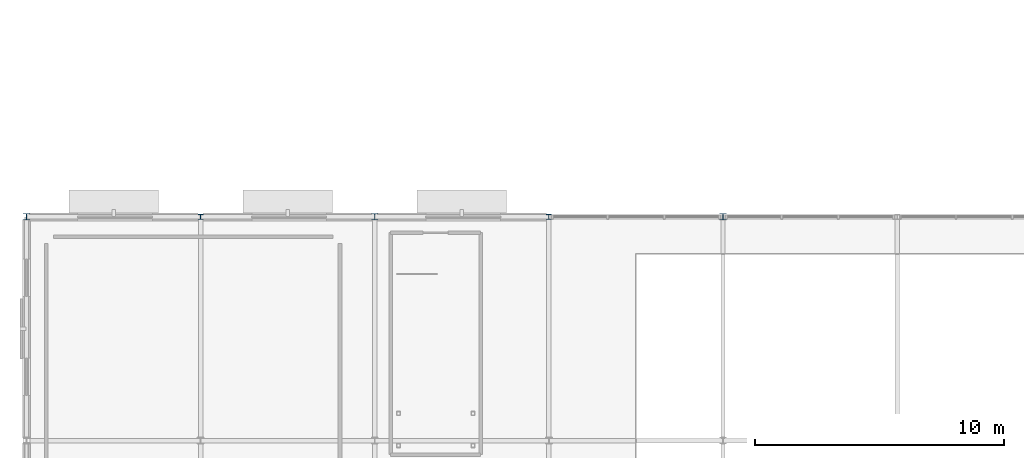
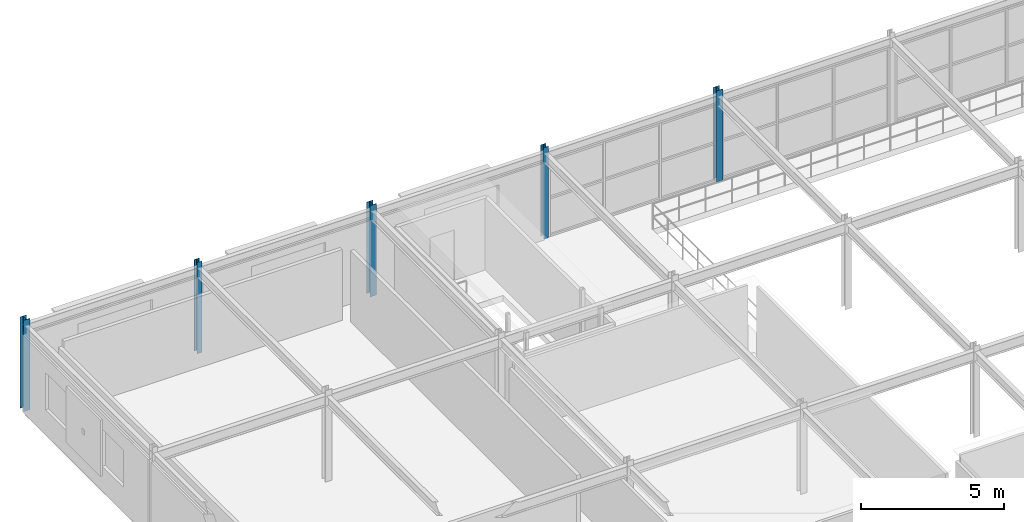
# One storey, part 14 of 98: 5 columns.
"""IFC4 building model written with IfcOpenShell, lengths in metres."""

from ifc_helpers import new_model, si_unit, derived_unit, direction, frame, origin, origin_2d_with_axis, place, context, subcontext, project, spatial, i_section, extrude, material, material_profile, profile_set, type_object, element, save


model = new_model("IFC4")

# Units and contexts
model_context = context("Model", 3, precision=1e-05, world=origin(), true_north=direction((0.0, 1.0)))
body_context = subcontext(model_context, "Body", "Model", "MODEL_VIEW")
ifc_project = project(units=[si_unit("LENGTHUNIT", "METRE"), si_unit("AREAUNIT", "SQUARE_METRE"), si_unit("VOLUMEUNIT", "CUBIC_METRE"), si_unit("PLANEANGLEUNIT", "RADIAN"), si_unit("MASSUNIT", "GRAM", prefix="KILO"), derived_unit("THERMALTRANSMITTANCEUNIT", [(si_unit("POWERUNIT", "WATT"), 1), (si_unit("LENGTHUNIT", "METRE"), -2), (si_unit("THERMODYNAMICTEMPERATUREUNIT", "KELVIN"), -1)])], contexts=[model_context])

# Site, building, storey
site_placement = place(None, origin())
site = spatial("IfcSite", under=ifc_project, at=site_placement, CompositionType="ELEMENT")
building_placement = place(site_placement, origin())
building = spatial("IfcBuilding", under=site, at=building_placement, Name="Cinnabar Yard Market Hall", CompositionType="ELEMENT")
storey_placement = place(building_placement, frame((0.0, 0.0, 4.5)))
storey = spatial("IfcBuildingStorey", under=building, at=storey_placement, Name="L01", CompositionType="ELEMENT", Elevation=4.5)

# Columns
ifc_material = material(Name="Steel Grade 300 (300 MPa)", Category="steel")
ifc_material_profile_1 = material_profile(ifc_material, i_section(OverallWidth=0.25390625, OverallDepth=0.25390625, WebThickness=0.008544921875, FlangeThickness=0.01416015625, FilletRadius=0.013916015625, at=origin_2d_with_axis()), Name="250UC72.9")
ifc_profile_set_1 = profile_set([ifc_material_profile_1], Name="Steel Grade 300 (300 MPa)")
column_type_1 = type_object("IfcColumnType", Name="COL-C11E", PredefinedType="COLUMN", material=ifc_profile_set_1)
for number, where, z_axis, x_axis, name in (
    (1, (10.0, 84.0, 0.0), (0.0, 0.0, 1.0), (1.0, 0.0, 0.0), "Pavilion Column V2-01-05 L01"),
    (2, (24.0, 84.0, 0.0), (0.0, 0.0, 1.0), (1.0, 0.0, 0.0), "Pavilion Column V2-03-05 L01"),
    (3, (38.0, 84.0, 0.0), (0.0, 0.0, 1.0), (1.0, 0.0, 0.0), "Pavilion Column V2-05-05 L01"),
):
    element("IfcColumn", number, at=place(storey_placement, frame(where, z_axis=z_axis, x_axis=x_axis)), inside=storey, type_object=column_type_1, Name=name, PredefinedType="COLUMN", context=body_context, shape_type="SweptSolid", body=[
        extrude(i_section(OverallWidth=0.25390625, OverallDepth=0.25390625, WebThickness=0.008544921875, FlangeThickness=0.01416015625, FilletRadius=0.013916015625, at=origin_2d_with_axis()), origin(), (0.0, 0.0, 1.0), 3.89990234375),
    ])
ifc_material_profile_2 = material_profile(ifc_material, i_section(OverallWidth=0.205078125, OverallDepth=0.209716796875, WebThickness=0.00927734375, FlangeThickness=0.01416015625, FilletRadius=0.011474609375, at=origin_2d_with_axis()), Name="200UC59.5")
ifc_profile_set_2 = profile_set([ifc_material_profile_2], Name="Steel Grade 300 (300 MPa)")
column_type_2 = type_object("IfcColumnType", Name="COL-C12E", PredefinedType="COLUMN", material=ifc_profile_set_2)
for number, where, z_axis, x_axis, name in (
    (4, (17.0, 84.0, 0.0), (0.0, 0.0, 1.0), (1.0, 0.0, 0.0), "Pavilion Column V2-02-05 L01"),
    (5, (31.0, 84.0, 0.0), (0.0, 0.0, 1.0), (1.0, 0.0, 0.0), "Pavilion Column V2-04-05 L01"),
):
    element("IfcColumn", number, at=place(storey_placement, frame(where, z_axis=z_axis, x_axis=x_axis)), inside=storey, type_object=column_type_2, Name=name, PredefinedType="COLUMN", context=body_context, shape_type="SweptSolid", body=[
        extrude(i_section(OverallWidth=0.205078125, OverallDepth=0.209716796875, WebThickness=0.00927734375, FlangeThickness=0.01416015625, FilletRadius=0.011474609375, at=origin_2d_with_axis()), origin(), (0.0, 0.0, 1.0), 3.89990234375),
    ])

save(model, "model.ifc")
